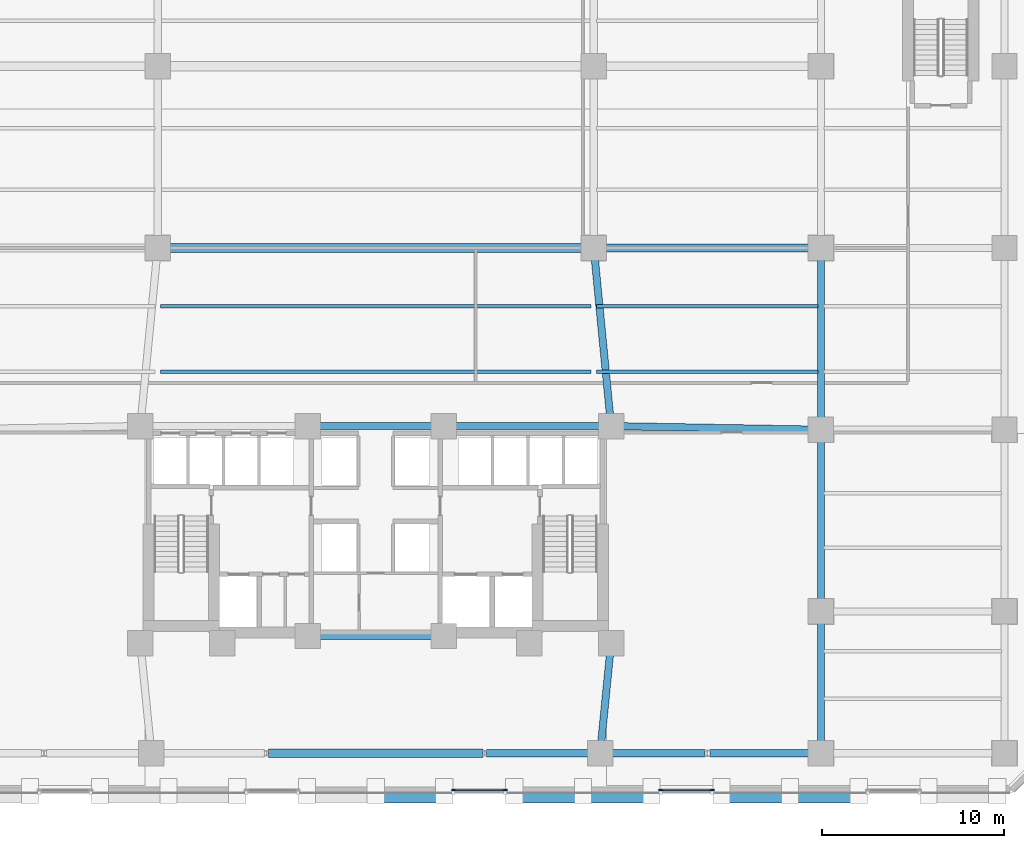
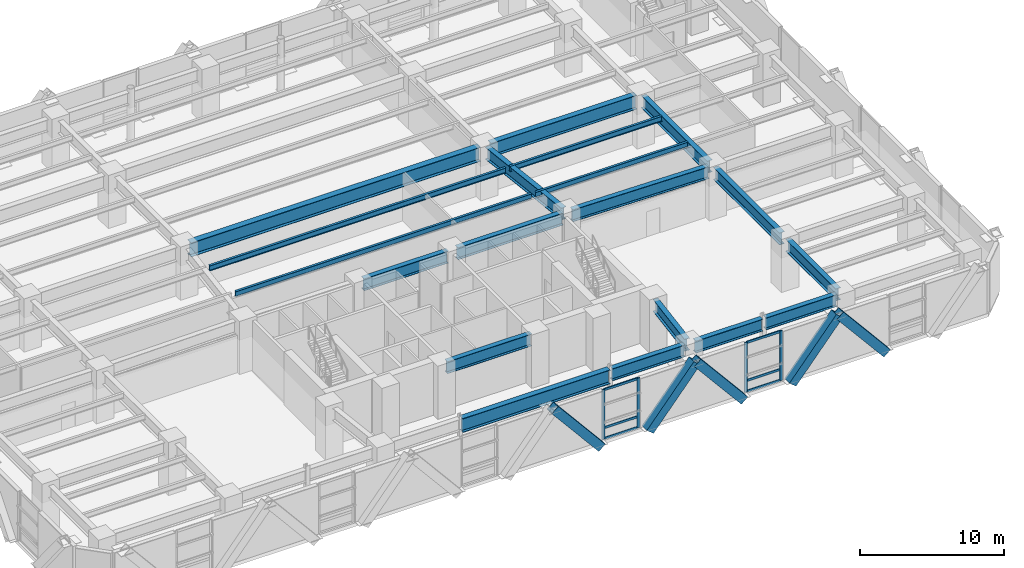
# One storey, part 7 of 26: 19 beams, 15 members, 2 elements without a shape of their own.
"""IFC4 building model written with IfcOpenShell, lengths in metres."""

from ifc_helpers import new_model, si_unit, direction, frame, origin, origin_2d, place, context, subcontext, project, spatial, rectangle, hollow_rectangle, i_section, extrude, material, material_profile, profile_set, type_object, element, aggregate, save


model = new_model("IFC4")

# Units and contexts
model_context = context("Model", 3, precision=1e-05, world=origin(), true_north=direction((0.0, 1.0)))
body_context = subcontext(model_context, "Body", "Model", "MODEL_VIEW")
ifc_project = project(units=[si_unit("LENGTHUNIT", "METRE"), si_unit("AREAUNIT", "SQUARE_METRE"), si_unit("VOLUMEUNIT", "CUBIC_METRE"), si_unit("PLANEANGLEUNIT", "RADIAN"), si_unit("MASSUNIT", "GRAM", prefix="KILO")], contexts=[model_context])

# Site, building, storey
site_placement = place(None, origin())
site = spatial("IfcSite", under=ifc_project, at=site_placement, CompositionType="ELEMENT")
building_placement = place(site_placement, origin())
building = spatial("IfcBuilding", under=site, at=building_placement, Name="Quenlor Broadcast Tower", CompositionType="ELEMENT")
storey_placement = place(building_placement, frame((0.0, 0.0, 14.0)))
storey = spatial("IfcBuildingStorey", under=building, at=storey_placement, Name="L03", CompositionType="ELEMENT", Elevation=14.0)

# Curtain wall, members
ifc_material_1 = material(Name="Architectural Terracotta and Low-E Glazing", Category="masonry")
curtain_wall_type = type_object("IfcCurtainWallType", Name="Station Concourse and Crown Terracotta Curtain Wall", PredefinedType="NOTDEFINED", material=ifc_material_1)
curtain_wall_1_placement = place(storey_placement, origin())
curtain_wall_1 = element("IfcCurtainWall", 1, at=curtain_wall_1_placement, inside=storey, type_object=curtain_wall_type, Name="L03 Curtain Wall CW6 (L03-S-FULL-G2)", PredefinedType="NOTDEFINED")
ifc_material_2 = material(Name="Aluminium 6063-T6", Category="aluminium")
ifc_material_profile_1 = material_profile(ifc_material_2, rectangle(XDim=0.08203125, YDim=0.239990234375, at=origin_2d()))
ifc_profile_set_1 = profile_set([ifc_material_profile_1], Name="Aluminium 6063-T6 MULL82x240")
member_type_1 = type_object("IfcMemberType", Name="CW6 Aluminium Mullion MULL_CW6", PredefinedType="MULLION", material=ifc_profile_set_1)
member_1_placement = place(storey_placement, frame((18.509521484375, -24.820068359375, 0.0), z_axis=(0.0, 0.0, 1.0), x_axis=(0.0, -1.0, 0.0)))
member_1 = element("IfcMember", 2, at=member_1_placement, type_object=member_type_1, Name="CW6 mullion 1", PredefinedType="MULLION", context=body_context, shape_type="SweptSolid", body=[
    extrude(rectangle(XDim=0.08203125, YDim=0.239990234375, at=origin_2d()), origin(), (0.0, 0.0, 1.0), 4.199951171875),
])
member_2_placement = place(storey_placement, frame((15.6904296875, -24.820068359375, 0.0), z_axis=(0.0, 0.0, 1.0), x_axis=(0.0, -1.0, 0.0)))
member_2 = element("IfcMember", 3, at=member_2_placement, type_object=member_type_1, Name="CW6 mullion 2", PredefinedType="MULLION", context=body_context, shape_type="SweptSolid", body=[
    extrude(rectangle(XDim=0.08203125, YDim=0.239990234375, at=origin_2d()), origin(), (0.0, 0.0, 1.0), 4.199951171875),
])

curtain_wall_2_placement = place(storey_placement, origin())
curtain_wall_2 = element("IfcCurtainWall", 4, at=curtain_wall_2_placement, inside=storey, type_object=curtain_wall_type, Name="L03 Curtain Wall CW6 (L03-S-FULL-G3)", PredefinedType="NOTDEFINED")
member_3_placement = place(storey_placement, frame((7.109619140625, -24.820068359375, 0.0), z_axis=(0.0, 0.0, 1.0), x_axis=(0.0, -1.0, 0.0)))
member_3 = element("IfcMember", 5, at=member_3_placement, type_object=member_type_1, Name="CW6 mullion 1", PredefinedType="MULLION", context=body_context, shape_type="SweptSolid", body=[
    extrude(rectangle(XDim=0.08203125, YDim=0.239990234375, at=origin_2d()), origin(), (0.0, 0.0, 1.0), 4.199951171875),
])
member_4_placement = place(storey_placement, frame((4.29052734375, -24.820068359375, 0.0), z_axis=(0.0, 0.0, 1.0), x_axis=(0.0, -1.0, 0.0)))
member_4 = element("IfcMember", 6, at=member_4_placement, type_object=member_type_1, Name="CW6 mullion 2", PredefinedType="MULLION", context=body_context, shape_type="SweptSolid", body=[
    extrude(rectangle(XDim=0.08203125, YDim=0.239990234375, at=origin_2d()), origin(), (0.0, 0.0, 1.0), 4.199951171875),
])

# Member
ifc_material_3 = material(Name="Aluminium 6063-T6", Category="aluminium")
ifc_material_profile_2 = material_profile(ifc_material_3, rectangle(XDim=0.08203125, YDim=0.195068359375, at=origin_2d()))
ifc_profile_set_2 = profile_set([ifc_material_profile_2], Name="Aluminium 6063-T6 TRAN82x195")
member_type_2 = type_object("IfcMemberType", Name="CW6 Aluminium Transom TRAN_CW6", PredefinedType="USERDEFINED", material=ifc_profile_set_2)
member_5_placement = place(storey_placement, frame((18.468505859375, -24.820068359375, 0.041015625), z_axis=(-1.0, 0.0, 0.0), x_axis=(0.0, -1.0, 0.0)))
member_5 = element("IfcMember", 7, at=member_5_placement, type_object=member_type_2, Name="CW6 transom 1.1", ObjectType="TRANSOM", PredefinedType="USERDEFINED", context=body_context, shape_type="SweptSolid", body=[
    extrude(rectangle(XDim=0.08203125, YDim=0.195068359375, at=origin_2d()), origin(), (0.0, 0.0, 1.0), 2.737060546875),
])

member_6_placement = place(storey_placement, frame((18.468505859375, -24.820068359375, 0.949951171875), z_axis=(-1.0, 0.0, 0.0), x_axis=(0.0, -1.0, 0.0)))
member_6 = element("IfcMember", 8, at=member_6_placement, type_object=member_type_2, Name="CW6 transom 1.2", ObjectType="TRANSOM", PredefinedType="USERDEFINED", context=body_context, shape_type="SweptSolid", body=[
    extrude(rectangle(XDim=0.08203125, YDim=0.195068359375, at=origin_2d()), origin(), (0.0, 0.0, 1.0), 2.737060546875),
])

member_7_placement = place(storey_placement, frame((18.468505859375, -24.820068359375, 4.158935546875), z_axis=(-1.0, 0.0, 0.0), x_axis=(0.0, -1.0, 0.0)))
member_7 = element("IfcMember", 9, at=member_7_placement, type_object=member_type_2, Name="CW6 transom 1.3", ObjectType="TRANSOM", PredefinedType="USERDEFINED", context=body_context, shape_type="SweptSolid", body=[
    extrude(rectangle(XDim=0.08203125, YDim=0.195068359375, at=origin_2d()), origin(), (0.0, 0.0, 1.0), 2.737060546875),
])

aggregate(curtain_wall_1, [member_1, member_2, member_5, member_6, member_7])

member_8_placement = place(storey_placement, frame((7.068603515625, -24.820068359375, 0.041015625), z_axis=(-1.0, 0.0, 0.0), x_axis=(0.0, -1.0, 0.0)))
member_8 = element("IfcMember", 10, at=member_8_placement, type_object=member_type_2, Name="CW6 transom 1.1", ObjectType="TRANSOM", PredefinedType="USERDEFINED", context=body_context, shape_type="SweptSolid", body=[
    extrude(rectangle(XDim=0.08203125, YDim=0.195068359375, at=origin_2d()), origin(), (0.0, 0.0, 1.0), 2.737060546875),
])

member_9_placement = place(storey_placement, frame((7.068603515625, -24.820068359375, 0.949951171875), z_axis=(-1.0, 0.0, 0.0), x_axis=(0.0, -1.0, 0.0)))
member_9 = element("IfcMember", 11, at=member_9_placement, type_object=member_type_2, Name="CW6 transom 1.2", ObjectType="TRANSOM", PredefinedType="USERDEFINED", context=body_context, shape_type="SweptSolid", body=[
    extrude(rectangle(XDim=0.08203125, YDim=0.195068359375, at=origin_2d()), origin(), (0.0, 0.0, 1.0), 2.737060546875),
])

member_10_placement = place(storey_placement, frame((7.068603515625, -24.820068359375, 4.158935546875), z_axis=(-1.0, 0.0, 0.0), x_axis=(0.0, -1.0, 0.0)))
member_10 = element("IfcMember", 12, at=member_10_placement, type_object=member_type_2, Name="CW6 transom 1.3", ObjectType="TRANSOM", PredefinedType="USERDEFINED", context=body_context, shape_type="SweptSolid", body=[
    extrude(rectangle(XDim=0.08203125, YDim=0.195068359375, at=origin_2d()), origin(), (0.0, 0.0, 1.0), 2.737060546875),
])

aggregate(curtain_wall_2, [member_3, member_4, member_8, member_9, member_10])

# Members
ifc_material_4 = material(Name="Steel S355", Category="steel")
ifc_material_profile_3 = material_profile(ifc_material_4, hollow_rectangle(XDim=0.679931640625, YDim=0.679931640625, WallThickness=0.034912109375, at=origin_2d()))
ifc_profile_set_3 = profile_set([ifc_material_profile_3], Name="Steel S355 RHS680x680x35")
member_type_3 = type_object("IfcMemberType", Name="Perimeter Diagonal Lattice Brace Z1 Steel S355 RHS680x35", PredefinedType="BRACE", material=ifc_profile_set_3)
for number, where, z_axis, x_axis, name in (
    (13, (26.5771484375, -25.215087890625, -0.1201171875), (-0.640626831312, 0.0, 0.767852370578), (0.0, -1.0, 0.0), "L03 Podium Diamond Lattice S-P1S"),
    (14, (15.17724609375, -25.215087890625, -0.1201171875), (-0.640626831312, 0.0, 0.767852370578), (0.0, -1.0, 0.0), "L03 Podium Diamond Lattice S-P2S"),
    (15, (19.022705078125, -25.215087890625, -0.1201171875), (0.640626831312, 0.0, 0.767852370578), (0.0, 1.0, 0.0), "L03 Podium Diamond Lattice S-P2B"),
    (16, (3.777099609375, -25.215087890625, -0.1201171875), (-0.640626831312, 0.0, 0.767852370578), (0.0, -1.0, 0.0), "L03 Podium Diamond Lattice S-P3S"),
    (17, (7.622802734375, -25.215087890625, -0.1201171875), (0.640626831312, 0.0, 0.767852370578), (0.0, 1.0, 0.0), "L03 Podium Diamond Lattice S-P3B"),
):
    element("IfcMember", number, at=place(storey_placement, frame(where, z_axis=z_axis, x_axis=x_axis)), inside=storey, type_object=member_type_3, Name=name, PredefinedType="BRACE", context=body_context, shape_type="SweptSolid", body=[
        extrude(hollow_rectangle(XDim=0.679931640625, YDim=0.679931640625, WallThickness=0.034912109375, at=origin_2d()), origin(), (0.0, 0.0, 1.0), 5.860595703125),
    ])

# Beams
ifc_material_5 = material(Name="Steel S355", Category="steel")
ifc_material_profile_4 = material_profile(ifc_material_5, i_section(OverallWidth=0.39990234375, OverallDepth=1.02392578125, WebThickness=0.01611328125, FlangeThickness=0.031982421875, FilletRadius=0.01611328125, at=origin_2d()))
ifc_profile_set_4 = profile_set([ifc_material_profile_4], Name="Steel S355 1000WB322")
beam_type_1 = type_object("IfcBeamType", Name="Podium Concourse Girder Steel S355 1000WB322", PredefinedType="BEAM", material=ifc_profile_set_4)
beam_1_placement = place(storey_placement, frame((6.10791015625, -22.800048828125, 3.68798828125), z_axis=(1.0, 0.0, 0.0), x_axis=(0.0, 1.0, 0.0)))
element("IfcBeam", 18, at=beam_1_placement, inside=storey, type_object=beam_type_1, Name="L03 Podium Girder 6", PredefinedType="BEAM", context=body_context, shape_type="SweptSolid", body=[
    extrude(i_section(OverallWidth=0.39990234375, OverallDepth=1.02392578125, WebThickness=0.01611328125, FlangeThickness=0.031982421875, FilletRadius=0.01611328125, at=origin_2d()), origin(), (0.0, 0.0, 1.0), 5.822021484375),
])
beam_2_placement = place(storey_placement, frame((12.77001953125, -22.800048828125, 3.68798828125), z_axis=(1.0, 0.0, 0.0), x_axis=(0.0, 1.0, 0.0)))
element("IfcBeam", 19, at=beam_2_placement, inside=storey, type_object=beam_type_1, Name="L03 Podium Girder 7", PredefinedType="BEAM", context=body_context, shape_type="SweptSolid", body=[
    extrude(i_section(OverallWidth=0.39990234375, OverallDepth=1.02392578125, WebThickness=0.01611328125, FlangeThickness=0.031982421875, FilletRadius=0.01611328125, at=origin_2d()), origin(), (0.0, 0.0, 1.0), 5.345458984375),
])
beam_3_placement = place(storey_placement, frame((18.384521484375, -22.800048828125, 3.68798828125), z_axis=(1.0, 0.0, 0.0), x_axis=(0.0, 1.0, 0.0)))
element("IfcBeam", 20, at=beam_3_placement, inside=storey, type_object=beam_type_1, Name="L03 Podium Girder 8", PredefinedType="BEAM", context=body_context, shape_type="SweptSolid", body=[
    extrude(i_section(OverallWidth=0.39990234375, OverallDepth=1.02392578125, WebThickness=0.01611328125, FlangeThickness=0.031982421875, FilletRadius=0.01611328125, at=origin_2d()), origin(), (0.0, 0.0, 1.0), 5.695556640625),
])
beam_4_placement = place(storey_placement, frame((24.5, -22.3798828125, 3.68798828125), z_axis=(0.0, 1.0, 0.0), x_axis=(-1.0, 0.0, 0.0)))
element("IfcBeam", 21, at=beam_4_placement, inside=storey, type_object=beam_type_1, Name="L03 Podium Girder 44", PredefinedType="BEAM", context=body_context, shape_type="SweptSolid", body=[
    extrude(i_section(OverallWidth=0.39990234375, OverallDepth=1.02392578125, WebThickness=0.01611328125, FlangeThickness=0.031982421875, FilletRadius=0.01611328125, at=origin_2d()), origin(), (0.0, 0.0, 1.0), 6.9599609375),
])
for number, where, z_axis, x_axis, name in (
    (22, (24.5, -14.580078125, 3.68798828125), (0.0, 1.0, 0.0), (-1.0, 0.0, 0.0), "L03 Podium Girder 45"),
    (23, (24.5, -4.580078125, 3.68798828125), (0.0, 1.0, 0.0), (-1.0, 0.0, 0.0), "L03 Podium Girder 46"),
):
    element("IfcBeam", number, at=place(storey_placement, frame(where, z_axis=z_axis, x_axis=x_axis)), inside=storey, type_object=beam_type_1, Name=name, PredefinedType="BEAM", context=body_context, shape_type="SweptSolid", body=[
        extrude(i_section(OverallWidth=0.39990234375, OverallDepth=1.02392578125, WebThickness=0.01611328125, FlangeThickness=0.031982421875, FilletRadius=0.01611328125, at=origin_2d()), origin(), (0.0, 0.0, 1.0), 9.16015625),
    ])
beam_5_placement = place(storey_placement, frame((12.913330078125, -4.421875, 3.68798828125), z_axis=(-0.096489068192, 0.995334044288, 0.0), x_axis=(-0.995334044288, -0.096489068192, 0.0)))
element("IfcBeam", 24, at=beam_5_placement, inside=storey, type_object=beam_type_1, Name="L03 Podium Concourse Girder 2", PredefinedType="BEAM", context=body_context, shape_type="SweptSolid", body=[
    extrude(i_section(OverallWidth=0.39990234375, OverallDepth=1.02392578125, WebThickness=0.01611328125, FlangeThickness=0.031982421875, FilletRadius=0.01611328125, at=origin_2d()), origin(), (0.0, 0.0, 1.0), 9.086181640625),
])
beam_6_placement = place(storey_placement, frame((12.91259765625, -17.128173828125, 3.68798828125), z_axis=(-0.098717586069, -0.995115489881, 0.0), x_axis=(0.995115489881, -0.098717586069, 0.0)))
element("IfcBeam", 25, at=beam_6_placement, inside=storey, type_object=beam_type_1, Name="L03 Podium Concourse Girder 4", PredefinedType="BEAM", context=body_context, shape_type="SweptSolid", body=[
    extrude(i_section(OverallWidth=0.39990234375, OverallDepth=1.02392578125, WebThickness=0.01611328125, FlangeThickness=0.031982421875, FilletRadius=0.01611328125, at=origin_2d()), origin(), (0.0, 0.0, 1.0), 5.319580078125),
])
beam_7_placement = place(storey_placement, frame((13.329833984375, -4.806640625, 3.68798828125), z_axis=(0.999850235211, -0.017306274859, 0.0), x_axis=(0.017306274859, 0.999850235211, 0.0)))
element("IfcBeam", 26, at=beam_7_placement, inside=storey, type_object=beam_type_1, Name="L03 Podium Concourse Girder 6", PredefinedType="BEAM", context=body_context, shape_type="SweptSolid", body=[
    extrude(i_section(OverallWidth=0.39990234375, OverallDepth=1.02392578125, WebThickness=0.01611328125, FlangeThickness=0.031982421875, FilletRadius=0.01611328125, at=origin_2d()), origin(), (0.0, 0.0, 1.0), 10.7919921875),
])
for number, where, z_axis, x_axis, name in (
    (27, (-3.3701171875, -4.800048828125, 3.68798828125), (1.0, 0.0, 0.0), (0.0, 1.0, 0.0), "L03 Podium Concourse Girder 7"),
    (28, (-3.3701171875, -16.35009765625, 3.68798828125), (1.0, 0.0, 0.0), (0.0, 1.0, 0.0), "L03 Podium Concourse Girder 8"),
):
    element("IfcBeam", number, at=place(storey_placement, frame(where, z_axis=z_axis, x_axis=x_axis)), inside=storey, type_object=beam_type_1, Name=name, PredefinedType="BEAM", context=body_context, shape_type="SweptSolid", body=[
        extrude(i_section(OverallWidth=0.39990234375, OverallDepth=1.02392578125, WebThickness=0.01611328125, FlangeThickness=0.031982421875, FilletRadius=0.01611328125, at=origin_2d()), origin(), (0.0, 0.0, 1.0), 6.740234375),
    ])
beam_8_placement = place(storey_placement, frame((4.1298828125, -4.800048828125, 3.68798828125), z_axis=(1.0, 0.0, 0.0), x_axis=(0.0, 1.0, 0.0)))
element("IfcBeam", 29, at=beam_8_placement, inside=storey, type_object=beam_type_1, Name="L03 Podium Concourse Girder 10", PredefinedType="BEAM", context=body_context, shape_type="SweptSolid", body=[
    extrude(i_section(OverallWidth=0.39990234375, OverallDepth=1.02392578125, WebThickness=0.01611328125, FlangeThickness=0.031982421875, FilletRadius=0.01611328125, at=origin_2d()), origin(), (0.0, 0.0, 1.0), 8.440185546875),
])
ifc_material_6 = material(Name="Steel S355", Category="steel")
ifc_material_profile_5 = material_profile(ifc_material_6, i_section(OverallWidth=0.18994140625, OverallDepth=0.453857421875, WebThickness=0.008544921875, FlangeThickness=0.0126953125, FilletRadius=0.011474609375, at=origin_2d()))
ifc_profile_set_5 = profile_set([ifc_material_profile_5], Name="Steel S355 460UB67.1")
beam_type_2 = type_object("IfcBeamType", Name="Podium Floor Joist Steel S355 460UB67.1", PredefinedType="JOIST", material=ifc_profile_set_5)
beam_9_placement = place(storey_placement, frame((-11.840087890625, -1.800048828125, 3.97314453125), z_axis=(1.0, 0.0, 0.0), x_axis=(0.0, 1.0, 0.0)))
element("IfcBeam", 30, at=beam_9_placement, inside=storey, type_object=beam_type_2, Name="L03 Podium Floor Joist 34", PredefinedType="JOIST", context=body_context, shape_type="SweptSolid", body=[
    extrude(i_section(OverallWidth=0.18994140625, OverallDepth=0.453857421875, WebThickness=0.008544921875, FlangeThickness=0.0126953125, FilletRadius=0.011474609375, at=origin_2d()), origin(), (0.0, 0.0, 1.0), 23.68017578125),
])
beam_10_placement = place(storey_placement, frame((12.159912109375, -1.800048828125, 3.97314453125), z_axis=(1.0, 0.0, 0.0), x_axis=(0.0, 1.0, 0.0)))
element("IfcBeam", 31, at=beam_10_placement, inside=storey, type_object=beam_type_2, Name="L03 Podium Floor Joist 35", PredefinedType="JOIST", context=body_context, shape_type="SweptSolid", body=[
    extrude(i_section(OverallWidth=0.18994140625, OverallDepth=0.453857421875, WebThickness=0.008544921875, FlangeThickness=0.0126953125, FilletRadius=0.011474609375, at=origin_2d()), origin(), (0.0, 0.0, 1.0), 12.18017578125),
])
beam_11_placement = place(storey_placement, frame((-11.840087890625, 1.800048828125, 3.97314453125), z_axis=(1.0, 0.0, 0.0), x_axis=(0.0, 1.0, 0.0)))
element("IfcBeam", 32, at=beam_11_placement, inside=storey, type_object=beam_type_2, Name="L03 Podium Floor Joist 37", PredefinedType="JOIST", context=body_context, shape_type="SweptSolid", body=[
    extrude(i_section(OverallWidth=0.18994140625, OverallDepth=0.453857421875, WebThickness=0.008544921875, FlangeThickness=0.0126953125, FilletRadius=0.011474609375, at=origin_2d()), origin(), (0.0, 0.0, 1.0), 23.68017578125),
])
beam_12_placement = place(storey_placement, frame((12.159912109375, 1.800048828125, 3.97314453125), z_axis=(1.0, 0.0, 0.0), x_axis=(0.0, 1.0, 0.0)))
element("IfcBeam", 33, at=beam_12_placement, inside=storey, type_object=beam_type_2, Name="L03 Podium Floor Joist 38", PredefinedType="JOIST", context=body_context, shape_type="SweptSolid", body=[
    extrude(i_section(OverallWidth=0.18994140625, OverallDepth=0.453857421875, WebThickness=0.008544921875, FlangeThickness=0.0126953125, FilletRadius=0.011474609375, at=origin_2d()), origin(), (0.0, 0.0, 1.0), 12.18017578125),
])
ifc_material_7 = material(Name="Steel S355", Category="steel")
ifc_material_profile_6 = material_profile(ifc_material_7, i_section(OverallWidth=0.5, OverallDepth=1.199951171875, WebThickness=0.02001953125, FlangeThickness=0.035888671875, FilletRadius=0.01611328125, at=origin_2d()))
ifc_profile_set_6 = profile_set([ifc_material_profile_6], Name="Steel S355 1200WB455")
beam_type_3 = type_object("IfcBeamType", Name="Podium Long Span Studio Girder Steel S355 1200WB455", PredefinedType="BEAM", material=ifc_profile_set_6)
beam_13_placement = place(storey_placement, frame((-11.580078125, 5.0, 3.60009765625), z_axis=(1.0, 0.0, 0.0), x_axis=(0.0, 1.0, 0.0)))
element("IfcBeam", 34, at=beam_13_placement, inside=storey, type_object=beam_type_3, Name="L03 Podium Girder 16", PredefinedType="BEAM", context=body_context, shape_type="SweptSolid", body=[
    extrude(i_section(OverallWidth=0.5, OverallDepth=1.199951171875, WebThickness=0.02001953125, FlangeThickness=0.035888671875, FilletRadius=0.01611328125, at=origin_2d()), origin(), (0.0, 0.0, 1.0), 23.16015625),
])
ifc_material_8 = material(Name="Steel S355", Category="steel")
ifc_material_profile_7 = material_profile(ifc_material_8, i_section(OverallWidth=0.449951171875, OverallDepth=1.18798828125, WebThickness=0.01806640625, FlangeThickness=0.031982421875, FilletRadius=0.01611328125, at=origin_2d()))
ifc_profile_set_7 = profile_set([ifc_material_profile_7], Name="Steel S355 1200WB392")
beam_type_4 = type_object("IfcBeamType", Name="Podium Secondary Studio Girder Steel S355 1200WB392", PredefinedType="BEAM", material=ifc_profile_set_7)
beam_14_placement = place(storey_placement, frame((-5.89208984375, -22.800048828125, 3.60595703125), z_axis=(1.0, 0.0, 0.0), x_axis=(0.0, 1.0, 0.0)))
element("IfcBeam", 35, at=beam_14_placement, inside=storey, type_object=beam_type_4, Name="L03 Podium Girder 5", PredefinedType="BEAM", context=body_context, shape_type="SweptSolid", body=[
    extrude(i_section(OverallWidth=0.449951171875, OverallDepth=1.18798828125, WebThickness=0.01806640625, FlangeThickness=0.031982421875, FilletRadius=0.01611328125, at=origin_2d()), origin(), (0.0, 0.0, 1.0), 11.7841796875),
])
beam_15_placement = place(storey_placement, frame((12.419921875, 5.0, 3.60595703125), z_axis=(1.0, 0.0, 0.0), x_axis=(0.0, 1.0, 0.0)))
element("IfcBeam", 36, at=beam_15_placement, inside=storey, type_object=beam_type_4, Name="L03 Podium Girder 17", PredefinedType="BEAM", context=body_context, shape_type="SweptSolid", body=[
    extrude(i_section(OverallWidth=0.449951171875, OverallDepth=1.18798828125, WebThickness=0.01806640625, FlangeThickness=0.031982421875, FilletRadius=0.01611328125, at=origin_2d()), origin(), (0.0, 0.0, 1.0), 11.66015625),
])

save(model, "model.ifc")
